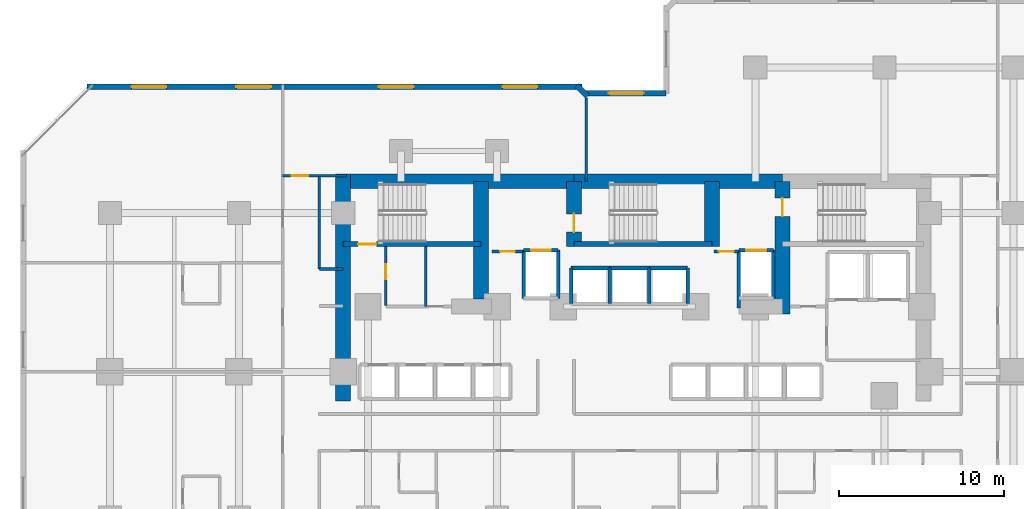
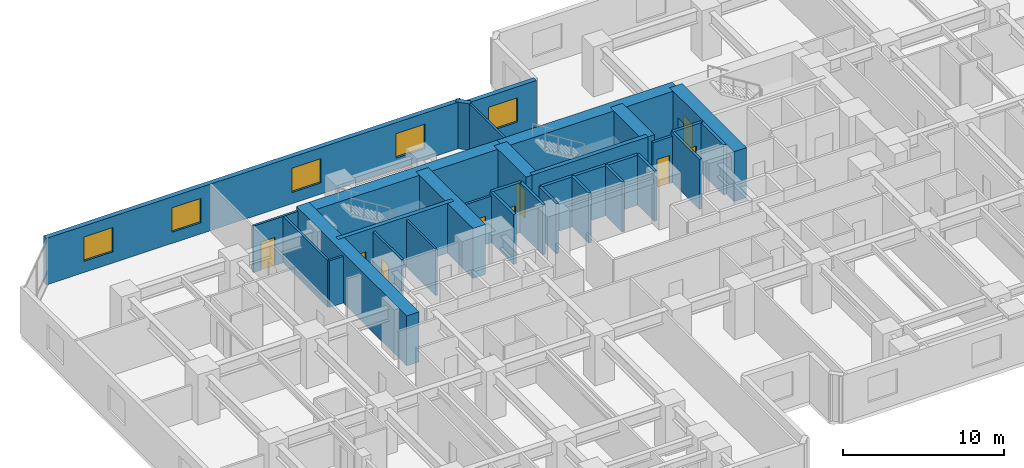
# One storey, part 8 of 12: 33 walls, 9 doors, 5 windows, 14 openings.
"""IFC4 building model written with IfcOpenShell, lengths in metres."""

from ifc_helpers import new_model, si_unit, direction, frame, frame_2d, origin, place, context, subcontext, project, spatial, rectangle, extrude, material, layer, layer_set, type_object, element, fill, save


model = new_model("IFC4")

# Units and contexts
model_context = context("Model", 3, precision=1e-05, world=origin(), true_north=direction((0.0, 1.0)))
body_context = subcontext(model_context, "Body", "Model", "MODEL_VIEW")
ifc_project = project(units=[si_unit("LENGTHUNIT", "METRE"), si_unit("AREAUNIT", "SQUARE_METRE"), si_unit("VOLUMEUNIT", "CUBIC_METRE"), si_unit("PLANEANGLEUNIT", "RADIAN"), si_unit("MASSUNIT", "GRAM", prefix="KILO")], contexts=[model_context])

# Site, building, storey
site_placement = place(None, origin())
site = spatial("IfcSite", under=ifc_project, at=site_placement, CompositionType="ELEMENT")
building_placement = place(site_placement, origin())
building = spatial("IfcBuilding", under=site, at=building_placement, Name="Kestravale Grand Hotel", CompositionType="ELEMENT")
storey_placement = place(building_placement, frame((0.0, 0.0, 52.60009765625)))
storey = spatial("IfcBuildingStorey", under=building, at=storey_placement, Name="L12", CompositionType="ELEMENT", Elevation=52.60009765625)

# Walls
ifc_material_1 = material(Name="Concrete f'c 70 MPa", Category="concrete")
ifc_layer_1 = layer(ifc_material_1, 0.89990234375)
ifc_layer_set_1 = layer_set([ifc_layer_1], Name="EW-CORE-900")
wall_type_1 = type_object("IfcWallType", Name="EW-CORE-900", PredefinedType="SHEAR", material=ifc_layer_set_1)
wall_1_placement = place(storey_placement, frame((21.449951171875, 40.320068359375, 0.0), z_axis=(0.0, 0.0, 1.0), x_axis=(1.0, 0.0, 0.0)))
element("IfcWall", 1, at=wall_1_placement, inside=storey, type_object=wall_type_1, Name="L12 core shear wall N1", PredefinedType="SHEAR", context=body_context, shape_type="SweptSolid", body=[
    extrude(rectangle(XDim=14.400146484375, YDim=0.89990234375, at=frame_2d((7.2001953125, 0.0))), origin(), (0.0, 0.0, 1.0), 3.7998046875),
])
wall_2_placement = place(storey_placement, frame((35.85009765625, 40.320068359375, 0.0), z_axis=(0.0, 0.0, 1.0), x_axis=(1.0, 0.0, 0.0)))
element("IfcWall", 2, at=wall_2_placement, inside=storey, type_object=wall_type_1, Name="L12 core shear wall N2", PredefinedType="SHEAR", context=body_context, shape_type="SweptSolid", body=[
    extrude(rectangle(XDim=12.599853515625, YDim=0.89990234375, at=frame_2d((6.2998046875, 0.0))), origin(), (0.0, 0.0, 1.0), 3.7998046875),
])
wall_3_placement = place(storey_placement, frame((21.89990234375, 27.050048828125, 0.0), z_axis=(0.0, 0.0, 1.0), x_axis=(0.0, 1.0, 0.0)))
element("IfcWall", 3, at=wall_3_placement, inside=storey, type_object=wall_type_1, Name="L12 core shear wall W1", PredefinedType="SHEAR", context=body_context, shape_type="SweptSolid", body=[
    extrude(rectangle(XDim=13.719970703125, YDim=0.89990234375, at=frame_2d((6.85986328125, 0.0))), origin(), (0.0, 0.0, 1.0), 3.7998046875),
])
wall_4_placement = place(storey_placement, frame((30.219970703125, 33.199951171875, 0.0), z_axis=(0.0, 0.0, 1.0), x_axis=(0.0, 1.0, 0.0)))
element("IfcWall", 4, at=wall_4_placement, inside=storey, type_object=wall_type_1, Name="L12 core shear wall X1", PredefinedType="SHEAR", context=body_context, shape_type="SweptSolid", body=[
    extrude(rectangle(XDim=7.1201171875, YDim=0.89990234375, at=frame_2d((3.56005859375, 0.0))), origin(), (0.0, 0.0, 1.0), 3.7998046875),
])

# Wall, opening, door
wall_5_placement = place(storey_placement, frame((35.85009765625, 36.3701171875, 0.0), z_axis=(0.0, 0.0, 1.0), x_axis=(0.0, 1.0, 0.0)))
wall_5 = element("IfcWall", 5, at=wall_5_placement, inside=storey, type_object=wall_type_1, Name="L12 core shear wall X2", PredefinedType="SHEAR", context=body_context, shape_type="SweptSolid", body=[
    extrude(rectangle(XDim=3.949951171875, YDim=0.89990234375, at=frame_2d((1.97509765625, 0.0))), origin(), (0.0, 0.0, 1.0), 3.7998046875),
])
opening_1_placement = place(wall_5_placement, frame((0.8798828125, 0.0, 0.0)))
opening_1 = element("IfcOpeningElement", 6, at=opening_1_placement, cuts=wall_5, Name="Opening D-ST-1100", PredefinedType="OPENING", context=body_context, shape_type="SweptSolid", body=[
    extrude(rectangle(XDim=1.10009765625, YDim=2.14990234375, at=frame_2d((0.550048828125, 1.074951171875))), frame((0.0, 0.4599609375, 0.0), z_axis=(0.0, -1.0, 0.0), x_axis=(1.0, 0.0, 0.0)), (0.0, 0.0, 1.0), 0.919921875),
])
ifc_material_2 = material(Name="Galvanised 90-minute fire-rated steel stair door", Category="steel")
door_type_1 = type_object("IfcDoorType", Name="D-ST-1100", OperationType="NOTDEFINED", PredefinedType="DOOR", material=ifc_material_2)
door_1_placement = place(opening_1_placement, origin())
door_1 = element("IfcDoor", 7, at=door_1_placement, inside=storey, type_object=door_type_1, Name="L12 Stair ST-2 FSAE fire door", OperationType="SINGLE_SWING_RIGHT", OverallHeight=2.14990234375, OverallWidth=1.10009765625, PredefinedType="DOOR", context=body_context, shape_type="SweptSolid", body=[
    extrude(rectangle(XDim=1.10009765625, YDim=2.14990234375, at=frame_2d((0.550048828125, 1.074951171875))), frame((0.0, 0.02490234375, 0.0), z_axis=(0.0, -1.0, 0.0), x_axis=(1.0, 0.0, 0.0)), (0.0, 0.0, 1.0), 0.050048828125),
])
fill(opening_1, door_1)

# Wall
wall_6_placement = place(storey_placement, frame((44.179931640625, 36.3701171875, 0.0), z_axis=(0.0, 0.0, 1.0), x_axis=(0.0, 1.0, 0.0)))
element("IfcWall", 8, at=wall_6_placement, inside=storey, type_object=wall_type_1, Name="L12 core shear wall X3", PredefinedType="SHEAR", context=body_context, shape_type="SweptSolid", body=[
    extrude(rectangle(XDim=3.949951171875, YDim=0.89990234375, at=frame_2d((1.97509765625, 0.0))), origin(), (0.0, 0.0, 1.0), 3.7998046875),
])

# Wall, opening, door
wall_7_placement = place(storey_placement, frame((48.449951171875, 32.300048828125, 0.0), z_axis=(0.0, 0.0, 1.0), x_axis=(0.0, 1.0, 0.0)))
wall_7 = element("IfcWall", 9, at=wall_7_placement, inside=storey, type_object=wall_type_1, Name="L12 core shear wall X4", PredefinedType="SHEAR", context=body_context, shape_type="SweptSolid", body=[
    extrude(rectangle(XDim=8.02001953125, YDim=0.89990234375, at=frame_2d((4.010009765625, 0.0))), origin(), (0.0, 0.0, 1.0), 3.7998046875),
])
opening_2_placement = place(wall_7_placement, frame((5.89990234375, 0.0, 0.0)))
opening_2 = element("IfcOpeningElement", 10, at=opening_2_placement, cuts=wall_7, Name="Opening D-ST-1100", PredefinedType="OPENING", context=body_context, shape_type="SweptSolid", body=[
    extrude(rectangle(XDim=1.10009765625, YDim=2.14990234375, at=frame_2d((0.550048828125, 1.074951171875))), frame((0.0, 0.4599609375, 0.0), z_axis=(0.0, -1.0, 0.0), x_axis=(1.0, 0.0, 0.0)), (0.0, 0.0, 1.0), 0.919921875),
])
door_2_placement = place(opening_2_placement, origin())
door_2 = element("IfcDoor", 11, at=door_2_placement, inside=storey, type_object=door_type_1, Name="L12 Stair ST-3 FSAE fire door", OperationType="SINGLE_SWING_RIGHT", OverallHeight=2.14990234375, OverallWidth=1.10009765625, PredefinedType="DOOR", context=body_context, shape_type="SweptSolid", body=[
    extrude(rectangle(XDim=1.10009765625, YDim=2.14990234375, at=frame_2d((0.550048828125, 1.074951171875))), frame((0.0, 0.02490234375, 0.0), z_axis=(0.0, -1.0, 0.0), x_axis=(1.0, 0.0, 0.0)), (0.0, 0.0, 1.0), 0.050048828125),
])
fill(opening_2, door_2)

# Wall, opening, window
ifc_material_3 = material(Name="Precast concrete f'c 45 MPa", Category="concrete")
ifc_layer_2 = layer(ifc_material_3, 0.340087890625)
ifc_layer_set_2 = layer_set([ifc_layer_2], Name="EW-PREC-340")
wall_type_2 = type_object("IfcWallType", Name="EW-PREC-340", PredefinedType="SOLIDWALL", material=ifc_layer_set_2)
wall_8_placement = place(storey_placement, frame((41.419921875, 45.6298828125, 0.0), z_axis=(0.0, 0.0, 1.0), x_axis=(-1.0, 0.0, 0.0)))
wall_8 = element("IfcWall", 12, at=wall_8_placement, inside=storey, type_object=wall_type_2, Name="L12 fluted precast facade wall 14", PredefinedType="SOLIDWALL", context=body_context, shape_type="SweptSolid", body=[
    extrude(rectangle(XDim=4.83984375, YDim=0.340087890625, at=frame_2d((2.419921875, 0.0))), origin(), (0.0, 0.0, 1.0), 3.539794921875),
])
opening_3_placement = place(wall_8_placement, frame((1.3701171875, 0.0, 0.85009765625)))
opening_3 = element("IfcOpeningElement", 13, at=opening_3_placement, cuts=wall_8, Name="Opening W-GUEST-2100", PredefinedType="OPENING", context=body_context, shape_type="SweptSolid", body=[
    extrude(rectangle(XDim=2.10009765625, YDim=1.85009765625, at=frame_2d((1.050048828125, 0.925048828125))), frame((0.0, 0.179931640625, 0.0), z_axis=(0.0, -1.0, 0.0), x_axis=(1.0, 0.0, 0.0)), (0.0, 0.0, 1.0), 0.360107421875),
])
ifc_material_4 = material(Name="Insulated low-E double glazing in aluminium frame", Category="aluminium")
window_type = type_object("IfcWindowType", Name="W-GUEST-2100", PartitioningType="DOUBLE_PANEL_VERTICAL", PredefinedType="WINDOW", material=ifc_material_4)
window_1_placement = place(opening_3_placement, origin())
window_1 = element("IfcWindow", 14, at=window_1_placement, inside=storey, type_object=window_type, Name="L12 exterior window 14.1", OverallHeight=1.85009765625, OverallWidth=2.10009765625, PartitioningType="SINGLE_PANEL", PredefinedType="WINDOW", context=body_context, shape_type="SweptSolid", body=[
    extrude(rectangle(XDim=2.10009765625, YDim=1.85009765625, at=frame_2d((1.050048828125, 0.925048828125))), frame((0.0, 0.030029296875, 0.0), z_axis=(0.0, -1.0, 0.0), x_axis=(1.0, 0.0, 0.0)), (0.0, 0.0, 1.0), 0.06005859375),
])
fill(opening_3, window_1)

# Wall
wall_9_placement = place(storey_placement, frame((36.658203125, 45.451416015625, 0.0), z_axis=(0.0, 0.0, 1.0), x_axis=(-0.707106781187, 0.707106781187, 0.0)))
element("IfcWall", 15, at=wall_9_placement, inside=storey, type_object=wall_type_2, Name="L12 fluted precast facade wall 16", PredefinedType="SOLIDWALL", context=body_context, shape_type="SweptSolid", body=[
    extrude(rectangle(XDim=0.9287109375, YDim=0.340087890625, at=frame_2d((0.46435546875, 0.0))), origin(), (0.0, 0.0, 1.0), 3.539794921875),
])

# Wall, openings, windows
wall_10_placement = place(storey_placement, frame((36.320068359375, 46.030029296875, 0.0), z_axis=(0.0, 0.0, 1.0), x_axis=(-1.0, 0.0, 0.0)))
wall_10 = element("IfcWall", 16, at=wall_10_placement, inside=storey, type_object=wall_type_2, Name="L12 fluted precast facade wall 17", PredefinedType="SOLIDWALL", context=body_context, shape_type="SweptSolid", body=[
    extrude(rectangle(XDim=29.89013671875, YDim=0.340087890625, at=frame_2d((14.945068359375, 0.0))), origin(), (0.0, 0.0, 1.0), 3.539794921875),
])
opening_4_placement = place(wall_10_placement, frame((2.686279296875, 0.0, 0.85009765625)))
opening_4 = element("IfcOpeningElement", 17, at=opening_4_placement, cuts=wall_10, Name="Opening W-GUEST-2100", PredefinedType="OPENING", context=body_context, shape_type="SweptSolid", body=[
    extrude(rectangle(XDim=2.10009765625, YDim=1.85009765625, at=frame_2d((1.050048828125, 0.925048828125))), frame((0.0, 0.179931640625, 0.0), z_axis=(0.0, -1.0, 0.0), x_axis=(1.0, 0.0, 0.0)), (0.0, 0.0, 1.0), 0.360107421875),
])
opening_5_placement = place(wall_10_placement, frame((10.15869140625, 0.0, 0.85009765625)))
opening_5 = element("IfcOpeningElement", 18, at=opening_5_placement, cuts=wall_10, Name="Opening W-GUEST-2100", PredefinedType="OPENING", context=body_context, shape_type="SweptSolid", body=[
    extrude(rectangle(XDim=2.10009765625, YDim=1.85009765625, at=frame_2d((1.050048828125, 0.925048828125))), frame((0.0, 0.179931640625, 0.0), z_axis=(0.0, -1.0, 0.0), x_axis=(1.0, 0.0, 0.0)), (0.0, 0.0, 1.0), 0.360107421875),
])
opening_6_placement = place(wall_10_placement, frame((18.78125, 0.0, 0.85009765625)))
opening_6 = element("IfcOpeningElement", 19, at=opening_6_placement, cuts=wall_10, Name="Opening W-GUEST-2100", PredefinedType="OPENING", context=body_context, shape_type="SweptSolid", body=[
    extrude(rectangle(XDim=2.10009765625, YDim=1.85009765625, at=frame_2d((1.050048828125, 0.925048828125))), frame((0.0, 0.179931640625, 0.0), z_axis=(0.0, -1.0, 0.0), x_axis=(1.0, 0.0, 0.0)), (0.0, 0.0, 1.0), 0.360107421875),
])
opening_7_placement = place(wall_10_placement, frame((25.103759765625, 0.0, 0.85009765625)))
opening_7 = element("IfcOpeningElement", 20, at=opening_7_placement, cuts=wall_10, Name="Opening W-GUEST-2100", PredefinedType="OPENING", context=body_context, shape_type="SweptSolid", body=[
    extrude(rectangle(XDim=2.10009765625, YDim=1.85009765625, at=frame_2d((1.050048828125, 0.925048828125))), frame((0.0, 0.179931640625, 0.0), z_axis=(0.0, -1.0, 0.0), x_axis=(1.0, 0.0, 0.0)), (0.0, 0.0, 1.0), 0.360107421875),
])
window_2_placement = place(opening_4_placement, origin())
window_2 = element("IfcWindow", 21, at=window_2_placement, inside=storey, type_object=window_type, Name="L12 exterior window 17.1", OverallHeight=1.85009765625, OverallWidth=2.10009765625, PartitioningType="SINGLE_PANEL", PredefinedType="WINDOW", context=body_context, shape_type="SweptSolid", body=[
    extrude(rectangle(XDim=2.10009765625, YDim=1.85009765625, at=frame_2d((1.050048828125, 0.925048828125))), frame((0.0, 0.030029296875, 0.0), z_axis=(0.0, -1.0, 0.0), x_axis=(1.0, 0.0, 0.0)), (0.0, 0.0, 1.0), 0.06005859375),
])
fill(opening_4, window_2)
window_3_placement = place(opening_5_placement, origin())
window_3 = element("IfcWindow", 22, at=window_3_placement, inside=storey, type_object=window_type, Name="L12 exterior window 17.2", OverallHeight=1.85009765625, OverallWidth=2.10009765625, PartitioningType="SINGLE_PANEL", PredefinedType="WINDOW", context=body_context, shape_type="SweptSolid", body=[
    extrude(rectangle(XDim=2.10009765625, YDim=1.85009765625, at=frame_2d((1.050048828125, 0.925048828125))), frame((0.0, 0.030029296875, 0.0), z_axis=(0.0, -1.0, 0.0), x_axis=(1.0, 0.0, 0.0)), (0.0, 0.0, 1.0), 0.06005859375),
])
fill(opening_5, window_3)
window_4_placement = place(opening_6_placement, origin())
window_4 = element("IfcWindow", 23, at=window_4_placement, inside=storey, type_object=window_type, Name="L12 exterior window 17.3", OverallHeight=1.85009765625, OverallWidth=2.10009765625, PartitioningType="SINGLE_PANEL", PredefinedType="WINDOW", context=body_context, shape_type="SweptSolid", body=[
    extrude(rectangle(XDim=2.10009765625, YDim=1.85009765625, at=frame_2d((1.050048828125, 0.925048828125))), frame((0.0, 0.030029296875, 0.0), z_axis=(0.0, -1.0, 0.0), x_axis=(1.0, 0.0, 0.0)), (0.0, 0.0, 1.0), 0.06005859375),
])
fill(opening_6, window_4)
window_5_placement = place(opening_7_placement, origin())
window_5 = element("IfcWindow", 24, at=window_5_placement, inside=storey, type_object=window_type, Name="L12 exterior window 17.4", OverallHeight=1.85009765625, OverallWidth=2.10009765625, PartitioningType="SINGLE_PANEL", PredefinedType="WINDOW", context=body_context, shape_type="SweptSolid", body=[
    extrude(rectangle(XDim=2.10009765625, YDim=1.85009765625, at=frame_2d((1.050048828125, 0.925048828125))), frame((0.0, 0.030029296875, 0.0), z_axis=(0.0, -1.0, 0.0), x_axis=(1.0, 0.0, 0.0)), (0.0, 0.0, 1.0), 0.06005859375),
])
fill(opening_7, window_5)

# Wall, opening, door
ifc_material_5 = material(Name="Concrete f'c 45 MPa", Category="concrete")
ifc_layer_3 = layer(ifc_material_5, 0.300048828125)
ifc_layer_set_3 = layer_set([ifc_layer_3], Name="EW-STAIR-300")
wall_type_3 = type_object("IfcWallType", Name="EW-STAIR-300", PredefinedType="SHEAR", material=ifc_layer_set_3)
wall_11_placement = place(storey_placement, frame((21.89990234375, 36.52001953125, 0.0), z_axis=(0.0, 0.0, 1.0), x_axis=(1.0, 0.0, 0.0)))
wall_11 = element("IfcWall", 25, at=wall_11_placement, inside=storey, type_object=wall_type_3, Name="L12 stair enclosure shear wall SST1", PredefinedType="SHEAR", context=body_context, shape_type="SweptSolid", body=[
    extrude(rectangle(XDim=8.320068359375, YDim=0.300048828125, at=frame_2d((4.16015625, 0.0))), origin(), (0.0, 0.0, 1.0), 3.7998046875),
])
opening_8_placement = place(wall_11_placement, frame((0.89990234375, 0.0, 0.0)))
opening_8 = element("IfcOpeningElement", 26, at=opening_8_placement, cuts=wall_11, Name="Opening D-ST-1100", PredefinedType="OPENING", context=body_context, shape_type="SweptSolid", body=[
    extrude(rectangle(XDim=1.10009765625, YDim=2.14990234375, at=frame_2d((0.550048828125, 1.074951171875))), frame((0.0, 0.159912109375, 0.0), z_axis=(0.0, -1.0, 0.0), x_axis=(1.0, 0.0, 0.0)), (0.0, 0.0, 1.0), 0.320068359375),
])
door_3_placement = place(opening_8_placement, origin())
door_3 = element("IfcDoor", 27, at=door_3_placement, inside=storey, type_object=door_type_1, Name="L12 Stair ST-1 fire door", OperationType="SINGLE_SWING_RIGHT", OverallHeight=2.14990234375, OverallWidth=1.10009765625, PredefinedType="DOOR", context=body_context, shape_type="SweptSolid", body=[
    extrude(rectangle(XDim=1.10009765625, YDim=2.14990234375, at=frame_2d((0.550048828125, 1.074951171875))), frame((0.0, 0.02490234375, 0.0), z_axis=(0.0, -1.0, 0.0), x_axis=(1.0, 0.0, 0.0)), (0.0, 0.0, 1.0), 0.050048828125),
])
fill(opening_8, door_3)

# Wall
wall_12_placement = place(storey_placement, frame((35.85009765625, 36.52001953125, 0.0), z_axis=(0.0, 0.0, 1.0), x_axis=(1.0, 0.0, 0.0)))
element("IfcWall", 28, at=wall_12_placement, inside=storey, type_object=wall_type_3, Name="L12 stair enclosure shear wall SST2", PredefinedType="SHEAR", context=body_context, shape_type="SweptSolid", body=[
    extrude(rectangle(XDim=8.329833984375, YDim=0.300048828125, at=frame_2d((4.1650390625, 0.0))), origin(), (0.0, 0.0, 1.0), 3.7998046875),
])

# Wall, opening, door
ifc_material_6 = material(Name="Acoustic fire-rated gypsum board partition", Category="other")
ifc_layer_4 = layer(ifc_material_6, 0.159912109375)
ifc_layer_set_4 = layer_set([ifc_layer_4], Name="IW-CORR-160")
wall_type_4 = type_object("IfcWallType", Name="IW-CORR-160", PredefinedType="PARTITIONING", material=ifc_layer_set_4)
wall_13_placement = place(storey_placement, frame((24.47998046875, 32.800048828125, 0.0), z_axis=(0.0, 0.0, 1.0), x_axis=(0.0, 1.0, 0.0)))
wall_13 = element("IfcWall", 29, at=wall_13_placement, inside=storey, type_object=wall_type_4, Name="L12 west core vestibule wall", PredefinedType="PARTITIONING", context=body_context, shape_type="SweptSolid", body=[
    extrude(rectangle(XDim=3.570068359375, YDim=0.159912109375, at=frame_2d((1.78515625, 0.0))), origin(), (0.0, 0.0, 1.0), 3.539794921875),
])
opening_9_placement = place(wall_13_placement, frame((1.603515625, 0.0, 0.0)))
opening_9 = element("IfcOpeningElement", 30, at=opening_9_placement, cuts=wall_13, Name="Opening D-SH-900", PredefinedType="OPENING", context=body_context, shape_type="SweptSolid", body=[
    extrude(rectangle(XDim=0.89990234375, YDim=2.10009765625, at=frame_2d((0.449951171875, 1.050048828125))), frame((0.0, 0.08984375, 0.0), z_axis=(0.0, -1.0, 0.0), x_axis=(1.0, 0.0, 0.0)), (0.0, 0.0, 1.0), 0.179931640625),
])
ifc_material_7 = material(Name="Galvanised 90-minute shaft and service fire door", Category="steel")
door_type_2 = type_object("IfcDoorType", Name="D-SH-900", OperationType="NOTDEFINED", PredefinedType="DOOR", material=ifc_material_7)
door_4_placement = place(opening_9_placement, origin())
door_4 = element("IfcDoor", 31, at=door_4_placement, inside=storey, type_object=door_type_2, Name="D-L12-HK", OperationType="SINGLE_SWING_RIGHT", OverallHeight=2.10009765625, OverallWidth=0.89990234375, PredefinedType="DOOR", context=body_context, shape_type="SweptSolid", body=[
    extrude(rectangle(XDim=0.89990234375, YDim=2.10009765625, at=frame_2d((0.449951171875, 1.050048828125))), frame((0.0, 0.02490234375, 0.0), z_axis=(0.0, -1.0, 0.0), x_axis=(1.0, 0.0, 0.0)), (0.0, 0.0, 1.0), 0.050048828125),
])
fill(opening_9, door_4)

# Walls
wall_14_placement = place(storey_placement, frame((20.4599609375, 35.02001953125, 0.0), z_axis=(0.0, 0.0, 1.0), x_axis=(0.0, 1.0, 0.0)))
element("IfcWall", 32, at=wall_14_placement, inside=storey, type_object=wall_type_4, Name="W-L12-SW-EN", PredefinedType="PARTITIONING", context=body_context, shape_type="SweptSolid", body=[
    extrude(rectangle(XDim=5.6298828125, YDim=0.159912109375, at=frame_2d((2.81494140625, 0.0))), origin(), (0.0, 0.0, 1.0), 3.539794921875),
])
wall_15_placement = place(storey_placement, frame((20.4599609375, 35.02001953125, 0.0), z_axis=(0.0, 0.0, 1.0), x_axis=(1.0, 0.0, 0.0)))
element("IfcWall", 33, at=wall_15_placement, inside=storey, type_object=wall_type_4, Name="W-L12-SW-CN", PredefinedType="PARTITIONING", context=body_context, shape_type="SweptSolid", body=[
    extrude(rectangle(XDim=1.43994140625, YDim=0.159912109375, at=frame_2d((0.719970703125, 0.0))), origin(), (0.0, 0.0, 1.0), 3.539794921875),
])

# Wall, opening, door
ifc_material_8 = material(Name="Fire-rated gypsum board on steel studs with mineral wool", Category="steel")
ifc_layer_5 = layer(ifc_material_8, 0.179931640625)
ifc_layer_set_5 = layer_set([ifc_layer_5], Name="IW-FSAE-180")
wall_type_5 = type_object("IfcWallType", Name="IW-FSAE-180", PredefinedType="PARTITIONING", material=ifc_layer_set_5)
wall_16_placement = place(storey_placement, frame((30.89990234375, 36.080078125, 0.0), z_axis=(0.0, 0.0, 1.0), x_axis=(1.0, 0.0, 0.0)))
wall_16 = element("IfcWall", 34, at=wall_16_placement, inside=storey, type_object=wall_type_5, Name="L12 FSAE Lobby 1 smoke barrier", PredefinedType="PARTITIONING", context=body_context, shape_type="SweptSolid", body=[
    extrude(rectangle(XDim=1.85009765625, YDim=0.179931640625, at=frame_2d((0.925048828125, 0.0))), origin(), (0.0, 0.0, 1.0), 3.539794921875),
])
opening_10_placement = place(wall_16_placement, frame((0.47998046875, 0.0, 0.0)))
opening_10 = element("IfcOpeningElement", 35, at=opening_10_placement, cuts=wall_16, Name="Opening D-FSAE-1000", PredefinedType="OPENING", context=body_context, shape_type="SweptSolid", body=[
    extrude(rectangle(XDim=0.89990234375, YDim=2.14990234375, at=frame_2d((0.449951171875, 1.074951171875))), frame((0.0, 0.099853515625, 0.0), z_axis=(0.0, -1.0, 0.0), x_axis=(1.0, 0.0, 0.0)), (0.0, 0.0, 1.0), 0.199951171875),
])
ifc_material_9 = material(Name="Smoke-gasketed FSAE lobby fire door", Category="steel")
door_type_3 = type_object("IfcDoorType", Name="D-FSAE-1000", OperationType="NOTDEFINED", PredefinedType="DOOR", material=ifc_material_9)
door_5_placement = place(opening_10_placement, origin())
door_5 = element("IfcDoor", 36, at=door_5_placement, inside=storey, type_object=door_type_3, Name="L12 FSAE Lobby 1 fire door", OperationType="SINGLE_SWING_RIGHT", OverallHeight=2.14990234375, OverallWidth=0.89990234375, PredefinedType="DOOR", context=body_context, shape_type="SweptSolid", body=[
    extrude(rectangle(XDim=0.89990234375, YDim=2.14990234375, at=frame_2d((0.449951171875, 1.074951171875))), frame((0.0, 0.02490234375, 0.0), z_axis=(0.0, -1.0, 0.0), x_axis=(1.0, 0.0, 0.0)), (0.0, 0.0, 1.0), 0.050048828125),
])
fill(opening_10, door_5)

wall_17_placement = place(storey_placement, frame((44.300048828125, 36.080078125, 0.0), z_axis=(0.0, 0.0, 1.0), x_axis=(1.0, 0.0, 0.0)))
wall_17 = element("IfcWall", 37, at=wall_17_placement, inside=storey, type_object=wall_type_5, Name="L12 FSAE Lobby 2 smoke barrier", PredefinedType="PARTITIONING", context=body_context, shape_type="SweptSolid", body=[
    extrude(rectangle(XDim=1.5, YDim=0.179931640625, at=frame_2d((0.75, 0.0))), origin(), (0.0, 0.0, 1.0), 3.539794921875),
])
opening_11_placement = place(wall_17_placement, frame((0.300048828125, 0.0, 0.0)))
opening_11 = element("IfcOpeningElement", 38, at=opening_11_placement, cuts=wall_17, Name="Opening D-FSAE-1000", PredefinedType="OPENING", context=body_context, shape_type="SweptSolid", body=[
    extrude(rectangle(XDim=0.89990234375, YDim=2.14990234375, at=frame_2d((0.449951171875, 1.074951171875))), frame((0.0, 0.099853515625, 0.0), z_axis=(0.0, -1.0, 0.0), x_axis=(1.0, 0.0, 0.0)), (0.0, 0.0, 1.0), 0.199951171875),
])
door_6_placement = place(opening_11_placement, origin())
door_6 = element("IfcDoor", 39, at=door_6_placement, inside=storey, type_object=door_type_3, Name="L12 FSAE Lobby 2 fire door", OperationType="SINGLE_SWING_LEFT", OverallHeight=2.14990234375, OverallWidth=0.89990234375, PredefinedType="DOOR", context=body_context, shape_type="SweptSolid", body=[
    extrude(rectangle(XDim=0.89990234375, YDim=2.14990234375, at=frame_2d((0.449951171875, 1.074951171875))), frame((0.0, 0.02490234375, 0.0), z_axis=(0.0, -1.0, 0.0), x_axis=(1.0, 0.0, 0.0)), (0.0, 0.0, 1.0), 0.050048828125),
])
fill(opening_11, door_6)

# Walls
ifc_material_10 = material(Name="Concrete f'c 45 MPa", Category="concrete")
ifc_layer_6 = layer(ifc_material_10, 0.199951171875)
ifc_layer_set_6 = layer_set([ifc_layer_6], Name="IW-SHAFT-200")
wall_type_6 = type_object("IfcWallType", Name="IW-SHAFT-200", PredefinedType="SHEAR", material=ifc_layer_set_6)
for number, where, z_axis, x_axis, name in (
    (40, (35.679931640625, 32.919921875, 0.0), (0.0, 0.0, 1.0), (0.0, 1.0, 0.0), "L12 PL-X1 west shaft wall"),
    (41, (38.0, 32.919921875, 0.0), (0.0, 0.0, 1.0), (0.0, 1.0, 0.0), "L12 PL-X2 west shaft wall"),
    (42, (40.39990234375, 32.919921875, 0.0), (0.0, 0.0, 1.0), (0.0, 1.0, 0.0), "L12 PL-X3 west shaft wall"),
    (43, (42.719970703125, 32.919921875, 0.0), (0.0, 0.0, 1.0), (0.0, 1.0, 0.0), "L12 PL-X3 east shaft wall"),
):
    element("IfcWall", number, at=place(storey_placement, frame(where, z_axis=z_axis, x_axis=x_axis)), inside=storey, type_object=wall_type_6, Name=name, PredefinedType="SHEAR", context=body_context, shape_type="SweptSolid", body=[
        extrude(rectangle(XDim=2.16015625, YDim=0.199951171875, at=frame_2d((1.080078125, 0.0))), origin(), (0.0, 0.0, 1.0), 3.7998046875),
    ])
for number, where, z_axis, x_axis, name in (
    (44, (32.804931640625, 33.2451171875, 0.0), (0.0, 0.0, 1.0), (0.0, 1.0, 0.0), "L12 FL-1 west shaft wall"),
    (45, (34.89501953125, 33.2451171875, 0.0), (0.0, 0.0, 1.0), (0.0, 1.0, 0.0), "L12 FL-1 east shaft wall"),
):
    element("IfcWall", number, at=place(storey_placement, frame(where, z_axis=z_axis, x_axis=x_axis)), inside=storey, type_object=wall_type_6, Name=name, PredefinedType="SHEAR", context=body_context, shape_type="SweptSolid", body=[
        extrude(rectangle(XDim=2.909912109375, YDim=0.199951171875, at=frame_2d((1.455078125, 0.0))), origin(), (0.0, 0.0, 1.0), 3.7998046875),
    ])
wall_18_placement = place(storey_placement, frame((45.804931640625, 32.64990234375, 0.0), z_axis=(0.0, 0.0, 1.0), x_axis=(0.0, 1.0, 0.0)))
element("IfcWall", 46, at=wall_18_placement, inside=storey, type_object=wall_type_6, Name="L12 FL-2 west shaft wall", PredefinedType="SHEAR", context=body_context, shape_type="SweptSolid", body=[
    extrude(rectangle(XDim=3.505126953125, YDim=0.199951171875, at=frame_2d((1.75244140625, 0.0))), origin(), (0.0, 0.0, 1.0), 3.7998046875),
])
wall_19_placement = place(storey_placement, frame((47.89501953125, 33.2451171875, 0.0), z_axis=(0.0, 0.0, 1.0), x_axis=(0.0, 1.0, 0.0)))
element("IfcWall", 47, at=wall_19_placement, inside=storey, type_object=wall_type_6, Name="L12 FL-2 east shaft wall", PredefinedType="SHEAR", context=body_context, shape_type="SweptSolid", body=[
    extrude(rectangle(XDim=2.909912109375, YDim=0.199951171875, at=frame_2d((1.455078125, 0.0))), origin(), (0.0, 0.0, 1.0), 3.7998046875),
])
ifc_material_11 = material(Name="Concrete f'c 45 MPa", Category="concrete")
ifc_layer_7 = layer(ifc_material_11, 0.219970703125)
ifc_layer_set_7 = layer_set([ifc_layer_7], Name="IW-SHAFT-220")
wall_type_7 = type_object("IfcWallType", Name="IW-SHAFT-220", PredefinedType="SHEAR", material=ifc_layer_set_7)
wall_20_placement = place(storey_placement, frame((35.679931640625, 35.080078125, 0.0), z_axis=(0.0, 0.0, 1.0), x_axis=(1.0, 0.0, 0.0)))
element("IfcWall", 48, at=wall_20_placement, inside=storey, type_object=wall_type_7, Name="L12 PL-X1 north shaft wall", PredefinedType="SHEAR", context=body_context, shape_type="SweptSolid", body=[
    extrude(rectangle(XDim=2.320068359375, YDim=0.219970703125, at=frame_2d((1.16015625, 0.0))), origin(), (0.0, 0.0, 1.0), 3.7998046875),
])
wall_21_placement = place(storey_placement, frame((38.0, 35.080078125, 0.0), z_axis=(0.0, 0.0, 1.0), x_axis=(1.0, 0.0, 0.0)))
element("IfcWall", 49, at=wall_21_placement, inside=storey, type_object=wall_type_7, Name="L12 PL-X2 north shaft wall", PredefinedType="SHEAR", context=body_context, shape_type="SweptSolid", body=[
    extrude(rectangle(XDim=2.39990234375, YDim=0.219970703125, at=frame_2d((1.199951171875, 0.0))), origin(), (0.0, 0.0, 1.0), 3.7998046875),
])
wall_22_placement = place(storey_placement, frame((40.39990234375, 35.080078125, 0.0), z_axis=(0.0, 0.0, 1.0), x_axis=(1.0, 0.0, 0.0)))
element("IfcWall", 50, at=wall_22_placement, inside=storey, type_object=wall_type_7, Name="L12 PL-X3 north shaft wall", PredefinedType="SHEAR", context=body_context, shape_type="SweptSolid", body=[
    extrude(rectangle(XDim=2.320068359375, YDim=0.219970703125, at=frame_2d((1.16015625, 0.0))), origin(), (0.0, 0.0, 1.0), 3.7998046875),
])

# Wall, opening, door
wall_23_placement = place(storey_placement, frame((32.804931640625, 36.155029296875, 0.0), z_axis=(0.0, 0.0, 1.0), x_axis=(1.0, 0.0, 0.0)))
wall_23 = element("IfcWall", 51, at=wall_23_placement, inside=storey, type_object=wall_type_7, Name="L12 FL-1 north shaft wall", PredefinedType="SHEAR", context=body_context, shape_type="SweptSolid", body=[
    extrude(rectangle(XDim=2.090087890625, YDim=0.219970703125, at=frame_2d((1.044921875, 0.0))), origin(), (0.0, 0.0, 1.0), 3.7998046875),
])
opening_12_placement = place(wall_23_placement, frame((0.445068359375, 0.0, 0.0)))
opening_12 = element("IfcOpeningElement", 52, at=opening_12_placement, cuts=wall_23, Name="Opening LD-FSAE-1200", PredefinedType="OPENING", context=body_context, shape_type="SweptSolid", body=[
    extrude(rectangle(XDim=1.199951171875, YDim=2.14990234375, at=frame_2d((0.60009765625, 1.074951171875))), frame((0.0, 0.119873046875, 0.0), z_axis=(0.0, -1.0, 0.0), x_axis=(1.0, 0.0, 0.0)), (0.0, 0.0, 1.0), 0.239990234375),
])
ifc_material_12 = material(Name="Stainless fire-service sliding elevator landing door", Category="steel")
door_type_4 = type_object("IfcDoorType", Name="LD-FSAE-1200", OperationType="NOTDEFINED", PredefinedType="DOOR", material=ifc_material_12)
door_7_placement = place(opening_12_placement, origin())
door_7 = element("IfcDoor", 53, at=door_7_placement, inside=storey, type_object=door_type_4, Name="L12 FL-1 elevator landing sliding door", OperationType="DOUBLE_DOOR_SLIDING", OverallHeight=2.14990234375, OverallWidth=1.199951171875, PredefinedType="DOOR", context=body_context, shape_type="SweptSolid", body=[
    extrude(rectangle(XDim=1.199951171875, YDim=2.14990234375, at=frame_2d((0.60009765625, 1.074951171875))), frame((0.0, 0.02490234375, 0.0), z_axis=(0.0, -1.0, 0.0), x_axis=(1.0, 0.0, 0.0)), (0.0, 0.0, 1.0), 0.050048828125),
])
fill(opening_12, door_7)

wall_24_placement = place(storey_placement, frame((45.804931640625, 36.155029296875, 0.0), z_axis=(0.0, 0.0, 1.0), x_axis=(1.0, 0.0, 0.0)))
wall_24 = element("IfcWall", 54, at=wall_24_placement, inside=storey, type_object=wall_type_7, Name="L12 FL-2 north shaft wall", PredefinedType="SHEAR", context=body_context, shape_type="SweptSolid", body=[
    extrude(rectangle(XDim=2.090087890625, YDim=0.219970703125, at=frame_2d((1.044921875, 0.0))), origin(), (0.0, 0.0, 1.0), 3.7998046875),
])
opening_13_placement = place(wall_24_placement, frame((0.445068359375, 0.0, 0.0)))
opening_13 = element("IfcOpeningElement", 55, at=opening_13_placement, cuts=wall_24, Name="Opening LD-FSAE-1200", PredefinedType="OPENING", context=body_context, shape_type="SweptSolid", body=[
    extrude(rectangle(XDim=1.199951171875, YDim=2.14990234375, at=frame_2d((0.60009765625, 1.074951171875))), frame((0.0, 0.119873046875, 0.0), z_axis=(0.0, -1.0, 0.0), x_axis=(1.0, 0.0, 0.0)), (0.0, 0.0, 1.0), 0.239990234375),
])
door_8_placement = place(opening_13_placement, origin())
door_8 = element("IfcDoor", 56, at=door_8_placement, inside=storey, type_object=door_type_4, Name="L12 FL-2 elevator landing sliding door", OperationType="DOUBLE_DOOR_SLIDING", OverallHeight=2.14990234375, OverallWidth=1.199951171875, PredefinedType="DOOR", context=body_context, shape_type="SweptSolid", body=[
    extrude(rectangle(XDim=1.199951171875, YDim=2.14990234375, at=frame_2d((0.60009765625, 1.074951171875))), frame((0.0, 0.02490234375, 0.0), z_axis=(0.0, -1.0, 0.0), x_axis=(1.0, 0.0, 0.0)), (0.0, 0.0, 1.0), 0.050048828125),
])
fill(opening_13, door_8)

# Wall
ifc_material_13 = material(Name="Double-stud STC 52 acoustic demising partition", Category="other")
ifc_layer_8 = layer(ifc_material_13, 0.14990234375)
ifc_layer_set_8 = layer_set([ifc_layer_8], Name="IW-UNIT-150")
wall_type_8 = type_object("IfcWallType", Name="IW-UNIT-150", PredefinedType="PARTITIONING", material=ifc_layer_set_8)
wall_25_placement = place(storey_placement, frame((26.8798828125, 32.75, 0.0), z_axis=(0.0, 0.0, 1.0), x_axis=(0.0, 1.0, 0.0)))
element("IfcWall", 57, at=wall_25_placement, inside=storey, type_object=wall_type_8, Name="W-L12-CC0-1", PredefinedType="PARTITIONING", context=body_context, shape_type="SweptSolid", body=[
    extrude(rectangle(XDim=3.6201171875, YDim=0.14990234375, at=frame_2d((1.81005859375, 0.0))), origin(), (0.0, 0.0, 1.0), 3.539794921875),
])

# Wall, opening, door
wall_26_placement = place(storey_placement, frame((18.239990234375, 40.64990234375, 0.0), z_axis=(0.0, 0.0, 1.0), x_axis=(1.0, 0.0, 0.0)))
wall_26 = element("IfcWall", 58, at=wall_26_placement, inside=storey, type_object=wall_type_8, Name="W-L12-SW-N", PredefinedType="PARTITIONING", context=body_context, shape_type="SweptSolid", body=[
    extrude(rectangle(XDim=3.860107421875, YDim=0.14990234375, at=frame_2d((1.93017578125, 0.0))), origin(), (0.0, 0.0, 1.0), 3.539794921875),
])
opening_14_placement = place(wall_26_placement, frame((0.550048828125, 0.0, 0.0)))
opening_14 = element("IfcOpeningElement", 59, at=opening_14_placement, cuts=wall_26, Name="Opening D-GUEST-1000", PredefinedType="OPENING", context=body_context, shape_type="SweptSolid", body=[
    extrude(rectangle(XDim=1.0, YDim=2.14990234375, at=frame_2d((0.5, 1.074951171875))), frame((0.0, 0.0849609375, 0.0), z_axis=(0.0, -1.0, 0.0), x_axis=(1.0, 0.0, 0.0)), (0.0, 0.0, 1.0), 0.169921875),
])
ifc_material_14 = material(Name="Accessible walnut veneer hotel entrance fire door", Category="wood")
door_type_5 = type_object("IfcDoorType", Name="D-GUEST-1000", OperationType="NOTDEFINED", PredefinedType="DOOR", material=ifc_material_14)
door_9_placement = place(opening_14_placement, origin())
door_9 = element("IfcDoor", 60, at=door_9_placement, inside=storey, type_object=door_type_5, Name="L12 NW Gallery Door", OperationType="SINGLE_SWING_RIGHT", OverallHeight=2.14990234375, OverallWidth=1.0, PredefinedType="DOOR", context=body_context, shape_type="SweptSolid", body=[
    extrude(rectangle(XDim=1.0, YDim=2.14990234375, at=frame_2d((0.5, 1.074951171875))), frame((0.0, 0.02490234375, 0.0), z_axis=(0.0, -1.0, 0.0), x_axis=(1.0, 0.0, 0.0)), (0.0, 0.0, 1.0), 0.050048828125),
])
fill(opening_14, door_9)

# Wall
wall_27_placement = place(storey_placement, frame((36.60009765625, 40.320068359375, 0.0), z_axis=(0.0, 0.0, 1.0), x_axis=(0.0, 1.0, 0.0)))
element("IfcWall", 61, at=wall_27_placement, inside=storey, type_object=wall_type_8, Name="W-L12-NGM", PredefinedType="PARTITIONING", context=body_context, shape_type="SweptSolid", body=[
    extrude(rectangle(XDim=5.044921875, YDim=0.14990234375, at=frame_2d((2.5224609375, 0.0))), origin(), (0.0, 0.0, 1.0), 3.539794921875),
])

save(model, "model.ifc")
